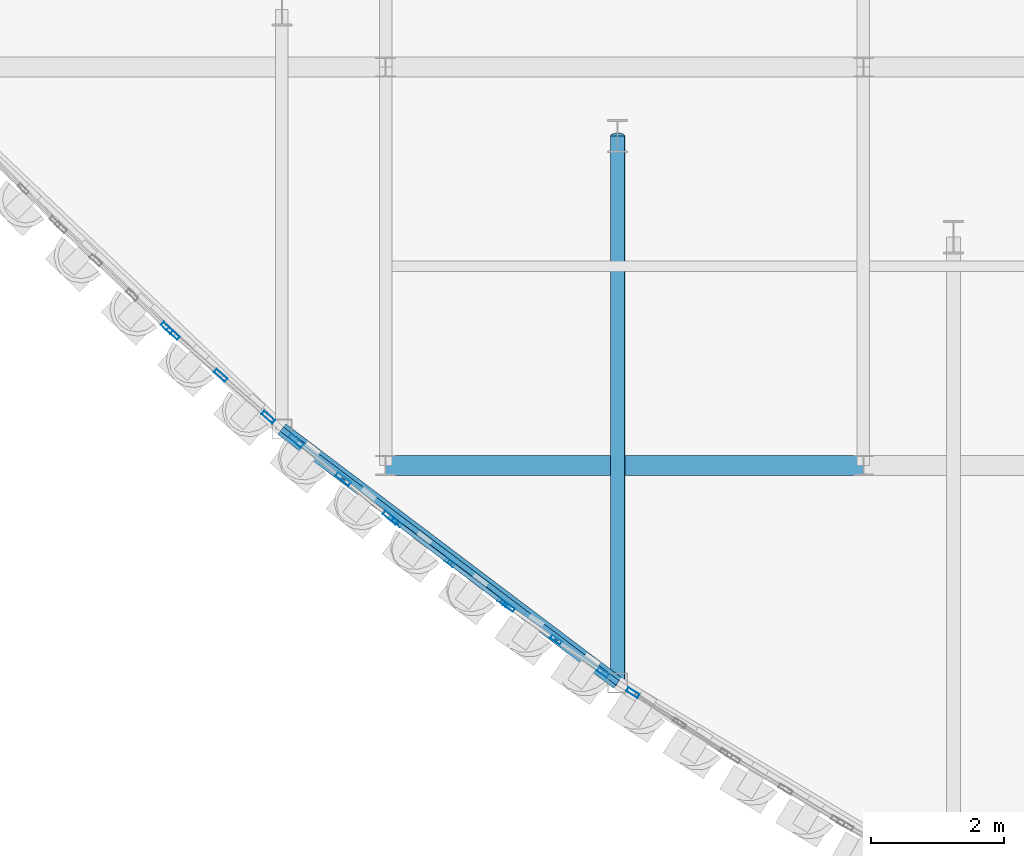
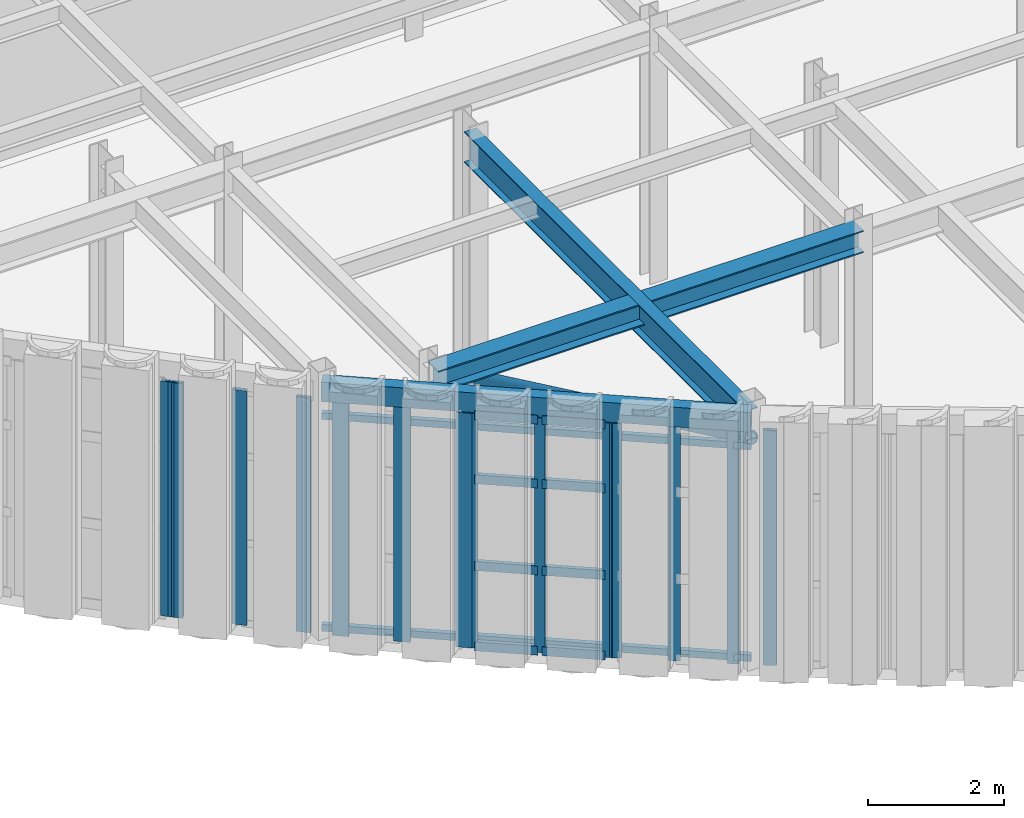
# One storey, part 17 of 121: 25 members, 3 beams, 6 elements without a shape of their own.
"""IFC4 building model written with IfcOpenShell, lengths in metres."""

from ifc_helpers import new_model, si_unit, direction, frame, origin, origin_2d, place, context, subcontext, project, spatial, hollow_rectangle, hollow_circle, i_section, extrude, material, layer, layer_set, material_profile, profile_set, type_object, element, aggregate, save


model = new_model("IFC4")

# Units and contexts
model_context = context("Model", 3, precision=1e-05, world=origin(), true_north=direction((0.0, 1.0)))
body_context = subcontext(model_context, "Body", "Model", "MODEL_VIEW")
ifc_project = project(units=[si_unit("LENGTHUNIT", "METRE"), si_unit("AREAUNIT", "SQUARE_METRE"), si_unit("VOLUMEUNIT", "CUBIC_METRE"), si_unit("PLANEANGLEUNIT", "RADIAN"), si_unit("MASSUNIT", "GRAM", prefix="KILO")], contexts=[model_context])

# Site, building, storey
site_placement = place(None, origin())
site = spatial("IfcSite", under=ifc_project, at=site_placement, CompositionType="ELEMENT")
building_placement = place(site_placement, origin())
building = spatial("IfcBuilding", under=site, at=building_placement, Name="Solvadek Multi-Sports Hall", CompositionType="ELEMENT")
storey_placement = place(building_placement, frame((0.0, 0.0, 4.800048828125)))
storey = spatial("IfcBuildingStorey", under=building, at=storey_placement, Name="L01", CompositionType="ELEMENT", Elevation=4.800048828125)

# Curtain wall, members
ifc_material_1 = material(Name="Anodised aluminium", Category="aluminium")
ifc_layer_1 = layer(ifc_material_1, 0.159912109375, Name="Anodised aluminium")
ifc_layer_set_1 = layer_set([ifc_layer_1], Name="Anodised aluminium")
curtain_wall_type_1 = type_object("IfcCurtainWallType", Name="ENV-CW-205X420", PredefinedType="USERDEFINED", material=ifc_layer_set_1)
curtain_wall_1_placement = place(storey_placement, origin())
curtain_wall_1 = element("IfcCurtainWall", 1, at=curtain_wall_1_placement, inside=storey, type_object=curtain_wall_type_1, Name="L01 Crescent Curved Curtain Wall #21", ObjectType="CURTAIN WALL", PredefinedType="USERDEFINED")
ifc_material_profile_1 = material_profile(ifc_material_1, hollow_rectangle(XDim=0.06005859375, YDim=0.159912109375, WallThickness=0.00390625, at=origin_2d()), Name="ALU-M 160x60x4")
ifc_profile_set_1 = profile_set([ifc_material_profile_1], Name="Anodised aluminium")
member_type_1 = type_object("IfcMemberType", Name="ENV-CWM-01", PredefinedType="MULLION", material=ifc_profile_set_1)
member_1_placement = place(storey_placement, frame((43.371337890625, -0.863037109375, 0.0), z_axis=(0.0, 0.0, 1.0), x_axis=(0.602024963078, 0.798477265694, 0.0)))
member_1 = element("IfcMember", 2, at=member_1_placement, type_object=member_type_1, Name="CW-10 mullion 1", PredefinedType="MULLION", context=body_context, shape_type="SweptSolid", body=[
    extrude(hollow_rectangle(XDim=0.06005859375, YDim=0.159912109375, WallThickness=0.00390625, at=origin_2d()), origin(), (0.0, 0.0, 1.0), 4.199951171875),
])
member_2_placement = place(storey_placement, frame((44.166748046875, -1.462890625, 0.0), z_axis=(0.0, 0.0, 1.0), x_axis=(0.602024963078, 0.798477265694, 0.0)))
member_2 = element("IfcMember", 3, at=member_2_placement, type_object=member_type_1, Name="CW-10 mullion 2", PredefinedType="MULLION", context=body_context, shape_type="SweptSolid", body=[
    extrude(hollow_rectangle(XDim=0.06005859375, YDim=0.159912109375, WallThickness=0.00390625, at=origin_2d()), origin(), (0.0, 0.0, 1.0), 4.199951171875),
])
member_3_placement = place(storey_placement, frame((44.962158203125, -2.0625, 0.0), z_axis=(0.0, 0.0, 1.0), x_axis=(0.602024963078, 0.798477265694, 0.0)))
member_3 = element("IfcMember", 4, at=member_3_placement, type_object=member_type_1, Name="CW-10 mullion 3", PredefinedType="MULLION", context=body_context, shape_type="SweptSolid", body=[
    extrude(hollow_rectangle(XDim=0.06005859375, YDim=0.159912109375, WallThickness=0.00390625, at=origin_2d()), origin(), (0.0, 0.0, 1.0), 4.199951171875),
])

ifc_layer_2 = layer(ifc_material_1, 0.159912109375, Name="Anodised aluminium")
ifc_layer_set_2 = layer_set([ifc_layer_2], Name="Anodised aluminium")
curtain_wall_type_2 = type_object("IfcCurtainWallType", Name="ENV-CW-179X420", PredefinedType="USERDEFINED", material=ifc_layer_set_2)
curtain_wall_2_placement = place(storey_placement, origin())
curtain_wall_2 = element("IfcCurtainWall", 5, at=curtain_wall_2_placement, inside=storey, type_object=curtain_wall_type_2, Name="L01 Crescent Curved Curtain Wall #23", ObjectType="CURTAIN WALL", PredefinedType="USERDEFINED")
ifc_material_profile_2 = material_profile(ifc_material_1, hollow_rectangle(XDim=0.06005859375, YDim=0.179931640625, WallThickness=0.00390625, at=origin_2d()), Name="ALU-M 180x60x4")
ifc_profile_set_2 = profile_set([ifc_material_profile_2], Name="Anodised aluminium")
member_type_2 = type_object("IfcMemberType", Name="ENV-CWM-02", PredefinedType="MULLION", material=ifc_profile_set_2)
member_4_placement = place(storey_placement, frame((45.059326171875, -2.133056640625, 0.0), z_axis=(0.0, 0.0, 1.0), x_axis=(0.573079503492, 0.819499775886, 0.0)))
member_4 = element("IfcMember", 6, at=member_4_placement, type_object=member_type_2, Name="CW-11 mullion 1", PredefinedType="MULLION", context=body_context, shape_type="SweptSolid", body=[
    extrude(hollow_rectangle(XDim=0.06005859375, YDim=0.179931640625, WallThickness=0.00390625, at=origin_2d()), origin(), (0.0, 0.0, 1.0), 4.199951171875),
])
member_5_placement = place(storey_placement, frame((45.767578125, -2.62841796875, 0.0), z_axis=(0.0, 0.0, 1.0), x_axis=(0.573079503492, 0.819499775886, 0.0)))
member_5 = element("IfcMember", 7, at=member_5_placement, type_object=member_type_2, Name="CW-11 mullion 2", PredefinedType="MULLION", context=body_context, shape_type="SweptSolid", body=[
    extrude(hollow_rectangle(XDim=0.06005859375, YDim=0.179931640625, WallThickness=0.00390625, at=origin_2d()), origin(), (0.0, 0.0, 1.0), 4.199951171875),
])
member_6_placement = place(storey_placement, frame((46.475830078125, -3.12353515625, 0.0), z_axis=(0.0, 0.0, 1.0), x_axis=(0.573079503492, 0.819499775886, 0.0)))
member_6 = element("IfcMember", 8, at=member_6_placement, type_object=member_type_2, Name="CW-11 mullion 3", PredefinedType="MULLION", context=body_context, shape_type="SweptSolid", body=[
    extrude(hollow_rectangle(XDim=0.06005859375, YDim=0.179931640625, WallThickness=0.00390625, at=origin_2d()), origin(), (0.0, 0.0, 1.0), 4.199951171875),
])
aggregate(curtain_wall_2, [member_4, member_5, member_6])

# Curtain wall, member
ifc_layer_3 = layer(ifc_material_1, 0.159912109375, Name="Anodised aluminium")
ifc_layer_set_3 = layer_set([ifc_layer_3], Name="Anodised aluminium")
curtain_wall_type_3 = type_object("IfcCurtainWallType", Name="ENV-CW-227X420", PredefinedType="USERDEFINED", material=ifc_layer_set_3)
curtain_wall_3_placement = place(storey_placement, origin())
curtain_wall_3 = element("IfcCurtainWall", 9, at=curtain_wall_3_placement, inside=storey, type_object=curtain_wall_type_3, Name="L01 Crescent Curved Curtain Wall #15", ObjectType="CURTAIN WALL", PredefinedType="USERDEFINED")
ifc_material_profile_3 = material_profile(ifc_material_1, hollow_rectangle(XDim=0.06494140625, YDim=0.199951171875, WallThickness=0.0048828125, at=origin_2d()), Name="ALU-M 200x65x5")
ifc_profile_set_3 = profile_set([ifc_material_profile_3], Name="Anodised aluminium")
member_type_3 = type_object("IfcMemberType", Name="ENV-CWM-03", PredefinedType="MULLION", material=ifc_profile_set_3)
member_7_placement = place(storey_placement, frame((39.904296875, 2.070556640625, 0.0), z_axis=(0.0, 0.0, 1.0), x_axis=(0.688997456224, 0.724763758281, 0.0)))
member_7 = element("IfcMember", 10, at=member_7_placement, type_object=member_type_3, Name="CW-06 mullion 4", PredefinedType="MULLION", context=body_context, shape_type="SweptSolid", body=[
    extrude(hollow_rectangle(XDim=0.06494140625, YDim=0.199951171875, WallThickness=0.0048828125, at=origin_2d()), origin(), (0.0, 0.0, 1.0), 4.199951171875),
])
aggregate(curtain_wall_3, [member_7])

ifc_layer_4 = layer(ifc_material_1, 0.159912109375, Name="Anodised aluminium")
ifc_layer_set_4 = layer_set([ifc_layer_4], Name="Anodised aluminium")
curtain_wall_type_4 = type_object("IfcCurtainWallType", Name="ENV-CW-174X420", PredefinedType="USERDEFINED", material=ifc_layer_set_4)
curtain_wall_4_placement = place(storey_placement, origin())
curtain_wall_4 = element("IfcCurtainWall", 11, at=curtain_wall_4_placement, inside=storey, type_object=curtain_wall_type_4, Name="L01 Crescent Curved Curtain Wall #25", ObjectType="CURTAIN WALL", PredefinedType="USERDEFINED")
member_8_placement = place(storey_placement, frame((46.92578125, -3.426513671875, 0.0), z_axis=(0.0, 0.0, 1.0), x_axis=(0.544061029929, 0.839045645786, 0.0)))
member_8 = element("IfcMember", 12, at=member_8_placement, type_object=member_type_3, Name="CW-12 mullion 1", PredefinedType="MULLION", context=body_context, shape_type="SweptSolid", body=[
    extrude(hollow_rectangle(XDim=0.06494140625, YDim=0.199951171875, WallThickness=0.0048828125, at=origin_2d()), origin(), (0.0, 0.0, 1.0), 4.199951171875),
])
aggregate(curtain_wall_4, [member_8])

# Curtain wall, members
ifc_layer_5 = layer(ifc_material_1, 0.159912109375, Name="Anodised aluminium")
ifc_layer_set_5 = layer_set([ifc_layer_5], Name="Anodised aluminium")
curtain_wall_type_5 = type_object("IfcCurtainWallType", Name="ENV-CW-198X420", PredefinedType="USERDEFINED", material=ifc_layer_set_5)
curtain_wall_5_placement = place(storey_placement, origin())
curtain_wall_5 = element("IfcCurtainWall", 13, at=curtain_wall_5_placement, inside=storey, type_object=curtain_wall_type_5, Name="L01 Crescent Curved Curtain Wall #17", ObjectType="CURTAIN WALL", PredefinedType="USERDEFINED")
ifc_material_profile_4 = material_profile(ifc_material_1, hollow_rectangle(XDim=0.06494140625, YDim=0.219970703125, WallThickness=0.0048828125, at=origin_2d()), Name="ALU-M 220x65x5")
ifc_profile_set_4 = profile_set([ifc_material_profile_4], Name="Anodised aluminium")
member_type_4 = type_object("IfcMemberType", Name="ENV-CWM-04", PredefinedType="MULLION", material=ifc_profile_set_4)
member_9_placement = place(storey_placement, frame((39.996337890625, 1.986328125, 0.0), z_axis=(0.0, 0.0, 1.0), x_axis=(0.660054887246, 0.751217375879, 0.0)))
member_9 = element("IfcMember", 14, at=member_9_placement, type_object=member_type_4, Name="CW-08 mullion 1", PredefinedType="MULLION", context=body_context, shape_type="SweptSolid", body=[
    extrude(hollow_rectangle(XDim=0.06494140625, YDim=0.219970703125, WallThickness=0.0048828125, at=origin_2d()), origin(), (0.0, 0.0, 1.0), 4.199951171875),
])
member_10_placement = place(storey_placement, frame((40.714111328125, 1.355712890625, 0.0), z_axis=(0.0, 0.0, 1.0), x_axis=(0.660054887246, 0.751217375879, 0.0)))
member_10 = element("IfcMember", 15, at=member_10_placement, type_object=member_type_4, Name="CW-08 mullion 2", PredefinedType="MULLION", context=body_context, shape_type="SweptSolid", body=[
    extrude(hollow_rectangle(XDim=0.06494140625, YDim=0.219970703125, WallThickness=0.0048828125, at=origin_2d()), origin(), (0.0, 0.0, 1.0), 4.199951171875),
])
member_11_placement = place(storey_placement, frame((41.431640625, 0.72509765625, 0.0), z_axis=(0.0, 0.0, 1.0), x_axis=(0.660054887246, 0.751217375879, 0.0)))
member_11 = element("IfcMember", 16, at=member_11_placement, type_object=member_type_4, Name="CW-08 mullion 3", PredefinedType="MULLION", context=body_context, shape_type="SweptSolid", body=[
    extrude(hollow_rectangle(XDim=0.06494140625, YDim=0.219970703125, WallThickness=0.0048828125, at=origin_2d()), origin(), (0.0, 0.0, 1.0), 4.199951171875),
])
aggregate(curtain_wall_5, [member_9, member_10, member_11])

ifc_layer_6 = layer(ifc_material_1, 0.159912109375, Name="Anodised aluminium")
ifc_layer_set_6 = layer_set([ifc_layer_6], Name="Anodised aluminium")
curtain_wall_type_6 = type_object("IfcCurtainWallType", Name="ENV-CW-190X420", PredefinedType="USERDEFINED", material=ifc_layer_set_6)
curtain_wall_6_placement = place(storey_placement, origin())
curtain_wall_6 = element("IfcCurtainWall", 17, at=curtain_wall_6_placement, inside=storey, type_object=curtain_wall_type_6, Name="L01 Crescent Curved Curtain Wall #19", ObjectType="CURTAIN WALL", PredefinedType="USERDEFINED")
ifc_material_profile_5 = material_profile(ifc_material_1, hollow_rectangle(XDim=0.070068359375, YDim=0.25, WallThickness=0.0048828125, at=origin_2d()), Name="ALU-M 250x70x5")
ifc_profile_set_5 = profile_set([ifc_material_profile_5], Name="Anodised aluminium")
member_type_5 = type_object("IfcMemberType", Name="ENV-CWM-05", PredefinedType="MULLION", material=ifc_profile_set_5)
member_12_placement = place(storey_placement, frame((41.849853515625, 0.371826171875, 0.0), z_axis=(0.0, 0.0, 1.0), x_axis=(0.631070866808, 0.775725183984, 0.0)))
member_12 = element("IfcMember", 18, at=member_12_placement, type_object=member_type_5, Name="CW-09 mullion 1", PredefinedType="MULLION", context=body_context, shape_type="SweptSolid", body=[
    extrude(hollow_rectangle(XDim=0.070068359375, YDim=0.25, WallThickness=0.0048828125, at=origin_2d()), origin(), (0.0, 0.0, 1.0), 4.199951171875),
])
member_13_placement = place(storey_placement, frame((42.561279296875, -0.20703125, 0.0), z_axis=(0.0, 0.0, 1.0), x_axis=(0.631070866808, 0.775725183984, 0.0)))
member_13 = element("IfcMember", 19, at=member_13_placement, type_object=member_type_5, Name="CW-09 mullion 2", PredefinedType="MULLION", context=body_context, shape_type="SweptSolid", body=[
    extrude(hollow_rectangle(XDim=0.070068359375, YDim=0.25, WallThickness=0.0048828125, at=origin_2d()), origin(), (0.0, 0.0, 1.0), 4.199951171875),
])
member_14_placement = place(storey_placement, frame((43.27294921875, -0.785888671875, 0.0), z_axis=(0.0, 0.0, 1.0), x_axis=(0.631070866808, 0.775725183984, 0.0)))
member_14 = element("IfcMember", 20, at=member_14_placement, type_object=member_type_5, Name="CW-09 mullion 3", PredefinedType="MULLION", context=body_context, shape_type="SweptSolid", body=[
    extrude(hollow_rectangle(XDim=0.070068359375, YDim=0.25, WallThickness=0.0048828125, at=origin_2d()), origin(), (0.0, 0.0, 1.0), 4.199951171875),
])
aggregate(curtain_wall_6, [member_12, member_13, member_14])

# Member
ifc_material_profile_6 = material_profile(ifc_material_1, hollow_rectangle(XDim=0.06494140625, YDim=0.159912109375, WallThickness=0.00390625, at=origin_2d()), Name="ALU-T 160x65x4")
ifc_profile_set_6 = profile_set([ifc_material_profile_6], Name="Anodised aluminium")
member_type_6 = type_object("IfcMemberType", Name="ENV-CWT-03", PredefinedType="USERDEFINED", material=ifc_profile_set_6)
member_15_placement = place(storey_placement, frame((43.395263671875, -0.881103515625, 0.032470703125), z_axis=(0.798432748423, -0.602084002648, 0.0), x_axis=(0.602084002648, 0.798432748423, 0.0)))
member_15 = element("IfcMember", 21, at=member_15_placement, type_object=member_type_6, Name="CW-10 transom 1.1", ObjectType="TRANSOM", PredefinedType="USERDEFINED", context=body_context, shape_type="SweptSolid", body=[
    extrude(hollow_rectangle(XDim=0.06494140625, YDim=0.159912109375, WallThickness=0.00390625, at=origin_2d()), origin(), (0.0, 0.0, 1.0), 0.936279296875),
])

member_16_placement = place(storey_placement, frame((43.395263671875, -0.881103515625, 1.469970703125), z_axis=(0.798432748423, -0.602084002648, 0.0), x_axis=(0.602084002648, 0.798432748423, 0.0)))
member_16 = element("IfcMember", 22, at=member_16_placement, type_object=member_type_6, Name="CW-10 transom 1.2", ObjectType="TRANSOM", PredefinedType="USERDEFINED", context=body_context, shape_type="SweptSolid", body=[
    extrude(hollow_rectangle(XDim=0.06494140625, YDim=0.159912109375, WallThickness=0.00390625, at=origin_2d()), origin(), (0.0, 0.0, 1.0), 0.936279296875),
])

member_17_placement = place(storey_placement, frame((43.395263671875, -0.881103515625, 3.02392578125), z_axis=(0.798432748423, -0.602084002648, 0.0), x_axis=(0.602084002648, 0.798432748423, 0.0)))
member_17 = element("IfcMember", 23, at=member_17_placement, type_object=member_type_6, Name="CW-10 transom 1.3", ObjectType="TRANSOM", PredefinedType="USERDEFINED", context=body_context, shape_type="SweptSolid", body=[
    extrude(hollow_rectangle(XDim=0.06494140625, YDim=0.159912109375, WallThickness=0.00390625, at=origin_2d()), origin(), (0.0, 0.0, 1.0), 0.936279296875),
])

member_18_placement = place(storey_placement, frame((43.395263671875, -0.881103515625, 4.16748046875), z_axis=(0.798432748423, -0.602084002648, 0.0), x_axis=(0.602084002648, 0.798432748423, 0.0)))
member_18 = element("IfcMember", 24, at=member_18_placement, type_object=member_type_6, Name="CW-10 transom 1.4", ObjectType="TRANSOM", PredefinedType="USERDEFINED", context=body_context, shape_type="SweptSolid", body=[
    extrude(hollow_rectangle(XDim=0.06494140625, YDim=0.159912109375, WallThickness=0.00390625, at=origin_2d()), origin(), (0.0, 0.0, 1.0), 0.936279296875),
])

member_19_placement = place(storey_placement, frame((44.190673828125, -1.48095703125, 0.032470703125), z_axis=(0.79855810202, -0.601917733332, 0.0), x_axis=(0.601917733332, 0.79855810202, 0.0)))
member_19 = element("IfcMember", 25, at=member_19_placement, type_object=member_type_6, Name="CW-10 transom 2.1", ObjectType="TRANSOM", PredefinedType="USERDEFINED", context=body_context, shape_type="SweptSolid", body=[
    extrude(hollow_rectangle(XDim=0.06494140625, YDim=0.159912109375, WallThickness=0.00390625, at=origin_2d()), origin(), (0.0, 0.0, 1.0), 0.93603515625),
])

member_20_placement = place(storey_placement, frame((44.190673828125, -1.48095703125, 1.469970703125), z_axis=(0.79855810202, -0.601917733332, 0.0), x_axis=(0.601917733332, 0.79855810202, 0.0)))
member_20 = element("IfcMember", 26, at=member_20_placement, type_object=member_type_6, Name="CW-10 transom 2.2", ObjectType="TRANSOM", PredefinedType="USERDEFINED", context=body_context, shape_type="SweptSolid", body=[
    extrude(hollow_rectangle(XDim=0.06494140625, YDim=0.159912109375, WallThickness=0.00390625, at=origin_2d()), origin(), (0.0, 0.0, 1.0), 0.93603515625),
])

member_21_placement = place(storey_placement, frame((44.190673828125, -1.48095703125, 3.02392578125), z_axis=(0.79855810202, -0.601917733332, 0.0), x_axis=(0.601917733332, 0.79855810202, 0.0)))
member_21 = element("IfcMember", 27, at=member_21_placement, type_object=member_type_6, Name="CW-10 transom 2.3", ObjectType="TRANSOM", PredefinedType="USERDEFINED", context=body_context, shape_type="SweptSolid", body=[
    extrude(hollow_rectangle(XDim=0.06494140625, YDim=0.159912109375, WallThickness=0.00390625, at=origin_2d()), origin(), (0.0, 0.0, 1.0), 0.93603515625),
])

member_22_placement = place(storey_placement, frame((44.190673828125, -1.48095703125, 4.16748046875), z_axis=(0.79855810202, -0.601917733332, 0.0), x_axis=(0.601917733332, 0.79855810202, 0.0)))
member_22 = element("IfcMember", 28, at=member_22_placement, type_object=member_type_6, Name="CW-10 transom 2.4", ObjectType="TRANSOM", PredefinedType="USERDEFINED", context=body_context, shape_type="SweptSolid", body=[
    extrude(hollow_rectangle(XDim=0.06494140625, YDim=0.159912109375, WallThickness=0.00390625, at=origin_2d()), origin(), (0.0, 0.0, 1.0), 0.93603515625),
])

aggregate(curtain_wall_1, [member_1, member_2, member_3, member_15, member_16, member_17, member_18, member_19, member_20, member_21, member_22])

# Beam
ifc_material_2 = material(Name="Steel E350 (350 MPa)", Category="steel")
ifc_material_profile_7 = material_profile(ifc_material_2, i_section(OverallWidth=0.2099609375, OverallDepth=0.550048828125, WebThickness=0.010986328125, FlangeThickness=0.01708984375, at=origin_2d()), Name="NPB 550")
ifc_profile_set_7 = profile_set([ifc_material_profile_7], Name="Steel E350 (350 MPa)")
beam_type_1 = type_object("IfcBeamType", Name="STR-BM-NPB550", PredefinedType="BEAM", material=ifc_profile_set_7)
beam_1_placement = place(storey_placement, frame((46.697021484375, -3.2783203125, 4.284912109375), z_axis=(0.0, 1.0, 0.0), x_axis=(-1.0, 0.0, 0.0)))
element("IfcBeam", 29, at=beam_1_placement, inside=storey, type_object=beam_type_1, Name="L01 Girder B-05 #1193", PredefinedType="BEAM", context=body_context, shape_type="SweptSolid", body=[
    extrude(i_section(OverallWidth=0.2099609375, OverallDepth=0.550048828125, WebThickness=0.010986328125, FlangeThickness=0.01708984375, at=origin_2d()), origin(), (0.0, 0.0, 1.0), 8.239013671875),
])

# Member
ifc_material_profile_8 = material_profile(ifc_material_2, hollow_circle(Radius=0.109619140625, WallThickness=0.010009765625, at=origin_2d()), Name="CHS 219.1x10")
ifc_profile_set_8 = profile_set([ifc_material_profile_8], Name="Steel E350 (350 MPa)")
member_type_7 = type_object("IfcMemberType", Name="STR-BRC-CHS219", PredefinedType="BRACE", material=ifc_profile_set_8)
member_23_placement = place(storey_placement, frame((46.697021484375, 4.960693359375, 0.14990234375), z_axis=(0.0, -0.903845790461, 0.427858372673), x_axis=(1.0, 0.0, 0.0)))
element("IfcMember", 30, at=member_23_placement, inside=storey, type_object=member_type_7, Name="L01 Crescent Radial Truss Diagonal #1", PredefinedType="BRACE", context=body_context, shape_type="SweptSolid", body=[
    extrude(hollow_circle(Radius=0.109619140625, WallThickness=0.010009765625, at=origin_2d()), origin(), (0.0, 0.0, 1.0), 9.115478515625),
])

# Beams
ifc_material_profile_9 = material_profile(ifc_material_2, hollow_rectangle(XDim=0.199951171875, YDim=0.35009765625, WallThickness=0.011962890625, at=origin_2d()), Name="RHS 350x200x12")
ifc_profile_set_9 = profile_set([ifc_material_profile_9], Name="Steel E350 (350 MPa)")
beam_type_2 = type_object("IfcBeamType", Name="STR-SPN-RHS350", PredefinedType="SPANDREL", material=ifc_profile_set_9)
beam_2_placement = place(storey_placement, frame((41.636474609375, 0.54541015625, 4.385009765625), z_axis=(0.797851689888, -0.602853780732, 0.0), x_axis=(0.602853780732, 0.797851689888, 0.0)))
element("IfcBeam", 31, at=beam_2_placement, inside=storey, type_object=beam_type_2, Name="L01 Curved Crescent Spandrel #42", PredefinedType="SPANDREL", context=body_context, shape_type="SweptSolid", body=[
    extrude(hollow_rectangle(XDim=0.199951171875, YDim=0.35009765625, WallThickness=0.011962890625, at=origin_2d()), origin(), (0.0, 0.0, 1.0), 6.3427734375),
])
ifc_material_profile_10 = material_profile(ifc_material_2, i_section(OverallWidth=0.300048828125, OverallDepth=0.39990234375, WebThickness=0.013427734375, FlangeThickness=0.02392578125, at=origin_2d()), Name="WPB 400")
ifc_profile_set_10 = profile_set([ifc_material_profile_10], Name="Steel E350 (350 MPa)")
beam_type_3 = type_object("IfcBeamType", Name="STR-SPN-WPB400", PredefinedType="SPANDREL", material=ifc_profile_set_10)
beam_3_placement = place(storey_placement, frame((43.199951171875, 0.0, 4.35986328125), z_axis=(1.0, 0.0, 0.0), x_axis=(0.0, 1.0, 0.0)))
element("IfcBeam", 32, at=beam_3_placement, inside=storey, type_object=beam_type_3, Name="L01 Girder SP-02 #946", PredefinedType="SPANDREL", context=body_context, shape_type="SweptSolid", body=[
    extrude(i_section(OverallWidth=0.300048828125, OverallDepth=0.39990234375, WebThickness=0.013427734375, FlangeThickness=0.02392578125, at=origin_2d()), origin(), (0.0, 0.0, 1.0), 7.199951171875),
])

# Members
ifc_material_3 = material(Name="Steel E250 (250 MPa)", Category="steel")
ifc_material_profile_11 = material_profile(ifc_material_3, hollow_rectangle(XDim=0.080078125, YDim=0.1201171875, WallThickness=0.006103515625, at=origin_2d()), Name="RHS 120x80x6")
ifc_profile_set_11 = profile_set([ifc_material_profile_11], Name="Steel E250 (250 MPa)")
member_type_8 = type_object("IfcMemberType", Name="STR-STD-RHS120", PredefinedType="STUD", material=ifc_profile_set_11)
for number, where, z_axis, x_axis, name in (
    (33, (41.636474609375, 0.54541015625, 0.119873046875), (0.797851689888, -0.602853780732, 0.0), (0.602853780732, 0.797851689888, 0.0), "L01 Flute Subframe Rail W-4 bot"),
    (34, (41.636474609375, 0.54541015625, 3.909912109375), (0.797851689888, -0.602853780732, 0.0), (0.602853780732, 0.797851689888, 0.0), "L01 Flute Subframe Rail W-4 top"),
):
    element("IfcMember", number, at=place(storey_placement, frame(where, z_axis=z_axis, x_axis=x_axis)), inside=storey, type_object=member_type_8, Name=name, PredefinedType="STUD", context=body_context, shape_type="SweptSolid", body=[
        extrude(hollow_rectangle(XDim=0.080078125, YDim=0.1201171875, WallThickness=0.006103515625, at=origin_2d()), origin(), (0.0, 0.0, 1.0), 6.3427734375),
    ])

save(model, "model.ifc")
